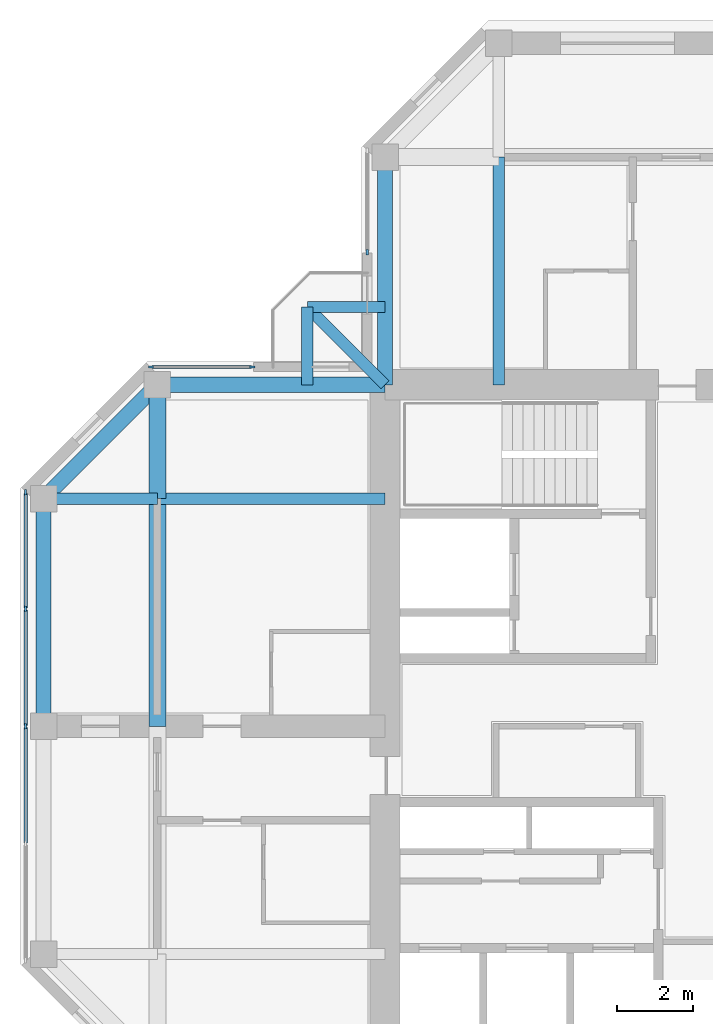
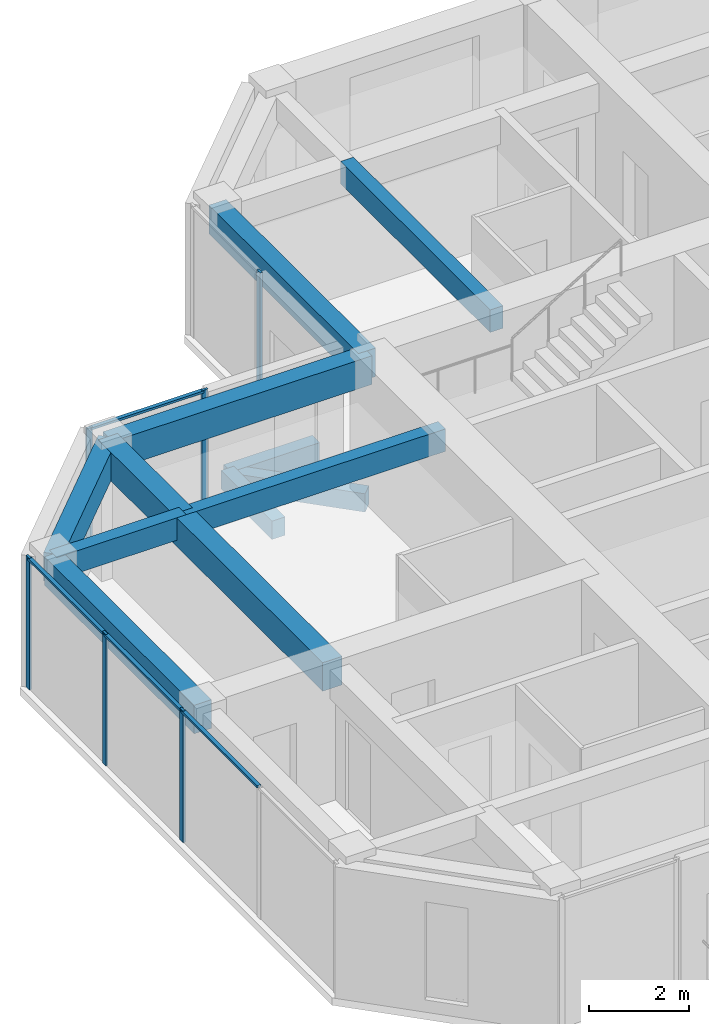
# One storey, part 4 of 13: 12 beams, 10 members, 3 elements without a shape of their own.
"""IFC4 building model written with IfcOpenShell, lengths in metres."""

import ifcopenshell
import ifcopenshell.guid

model = None  # the IFC model being written
_history = None  # IfcOwnerHistory: only IFC2X3 demands one
_inside = {}  # id of a spatial element -> (the spatial element, [elements in it])
_under = {}  # id of a project, library or spatial element -> (it, [spatial elements below it])
_declared = {}  # id of a project -> (the project, [libraries it declares])
_typed = {}  # id of a type object -> (the type object, [elements of that type])
_made_of = {}  # id of a material, layer set ... -> (it, [elements and type objects made of it])


def new_model(schema):
    """Start an empty IFC model of exactly this schema.

    Asked for "IFC4X3", IfcOpenShell would pick the latest addendum, in which some entities
    have other attributes; the version numbers below select the first issue.
    IFC2X3 requires an IfcOwnerHistory on every rooted entity: one is made here for all.
    """
    global model, _history
    if schema == "IFC4X3":
        model = ifcopenshell.file(schema_version=(4, 3, 0, 0))
    else:
        model = ifcopenshell.file(schema=schema)
    _inside.clear()
    _under.clear()
    _declared.clear()
    _typed.clear()
    _made_of.clear()
    _history = None
    if model.schema == "IFC2X3":
        org = make("IfcOrganization", Name="unknown")
        user = make(
            "IfcPersonAndOrganization",
            ThePerson=make("IfcPerson", FamilyName="unknown"),
            TheOrganization=org,
        )
        app = make(
            "IfcApplication",
            ApplicationDeveloper=org,
            Version="unknown",
            ApplicationFullName="unknown",
            ApplicationIdentifier="unknown",
        )
        _history = make(
            "IfcOwnerHistory",
            OwningUser=user,
            OwningApplication=app,
            ChangeAction="ADDED",
            CreationDate=0,
        )
    return model


def make(cls, **values):
    """One entity of the class cls with the attributes given. An attribute that is None is left unset."""
    return model.create_entity(
        cls, **{name: value for name, value in values.items() if value is not None}
    )


def rooted(cls, **values):
    """An entity with a GlobalId (a new one), such as an element, a storey or a relation."""
    return make(cls, GlobalId=ifcopenshell.guid.new(), OwnerHistory=_history, **values)


def si_unit(unit_type, name, prefix=None):
    """IfcSIUnit, for example si_unit("LENGTHUNIT", "METRE", prefix="MILLI")."""
    return make("IfcSIUnit", UnitType=unit_type, Prefix=prefix, Name=name)


def assignment(units):
    """IfcUnitAssignment: the units of a project."""
    return None if units is None else make("IfcUnitAssignment", Units=units)


def point(xyz):
    """IfcCartesianPoint."""
    return None if xyz is None else make("IfcCartesianPoint", Coordinates=xyz)


def direction(xyz):
    """IfcDirection."""
    return None if xyz is None else make("IfcDirection", DirectionRatios=xyz)


def frame(location, z_axis=None, x_axis=None):
    """IfcAxis2Placement3D, a coordinate frame: its origin and axes. An axis left out is left unset."""
    return make(
        "IfcAxis2Placement3D",
        Location=point(location),
        Axis=direction(z_axis),
        RefDirection=direction(x_axis),
    )


def frame_2d(location, x_axis=None):
    """IfcAxis2Placement2D, a coordinate frame in the plane: its origin and x axis."""
    return make(
        "IfcAxis2Placement2D", Location=point(location), RefDirection=direction(x_axis)
    )


def origin():
    """The frame at (0, 0, 0) with its axes left unset."""
    return frame((0.0, 0.0, 0.0))


def origin_2d():
    """The frame at (0, 0) in the plane with its x axis left unset."""
    return frame_2d((0.0, 0.0))


def place(relative_to, where):
    """IfcLocalPlacement: puts the frame where relative to a parent placement (None: the world)."""
    return make(
        "IfcLocalPlacement", PlacementRelTo=relative_to, RelativePlacement=where
    )


def context(
    kind, dimensions, precision=None, world=None, true_north=None, identifier=None
):
    """IfcGeometricRepresentationContext, for example the 3D "Model" context."""
    return make(
        "IfcGeometricRepresentationContext",
        ContextIdentifier=identifier,
        ContextType=kind,
        CoordinateSpaceDimension=dimensions,
        Precision=precision,
        WorldCoordinateSystem=world,
        TrueNorth=true_north,
    )


def subcontext(parent, identifier, kind, view, scale=None):
    """IfcGeometricRepresentationSubContext, for example "Body" below "Model"."""
    return make(
        "IfcGeometricRepresentationSubContext",
        ContextIdentifier=identifier,
        ContextType=kind,
        ParentContext=parent,
        TargetScale=scale,
        TargetView=view,
    )


def project(units=None, contexts=None):
    """IfcProject with its units and contexts."""
    return rooted(
        "IfcProject",
        Name="project",
        RepresentationContexts=contexts,
        UnitsInContext=assignment(units),
    )


def spatial(cls, under=None, at=None, **own):
    """A site, building, storey or space (cls), placed at a placement, below another one or the project."""
    s = rooted(cls, ObjectPlacement=at, **own)
    if under is not None:
        _under.setdefault(under.id(), (under, []))[1].append(s)
    return s


def profile(cls, at=None, kind="AREA", **sizes):
    """A parametric profile (cls). Its sizes go by their IFC names, for example OverallWidth=200.0."""
    return make(cls, ProfileType=kind, Position=at, **sizes)


def rectangle(**sizes):
    """IfcRectangleProfileDef."""
    return profile("IfcRectangleProfileDef", **sizes)


def extrude(swept, where, along, depth):
    """IfcExtrudedAreaSolid: the profile swept, set in the frame where, extruded along a direction by depth."""
    return make(
        "IfcExtrudedAreaSolid",
        SweptArea=swept,
        Position=where,
        ExtrudedDirection=direction(along),
        Depth=depth,
    )


def shape(context_of_items, identifier, shape_type, items):
    """IfcShapeRepresentation: the items that make up one representation, for example the "Body"."""
    return make(
        "IfcShapeRepresentation",
        ContextOfItems=context_of_items,
        RepresentationIdentifier=identifier,
        RepresentationType=shape_type,
        Items=items,
    )


def material(Name=None, Category=None):
    """IfcMaterial."""
    return make("IfcMaterial", Name=Name, Category=Category)


def material_profile(
    of_material, cross_section, Name=None, Category=None, Priority=None
):
    """IfcMaterialProfile: a cross section and its material."""
    return make(
        "IfcMaterialProfile",
        Name=Name,
        Material=of_material,
        Profile=cross_section,
        Priority=Priority,
        Category=Category,
    )


def profile_set(profiles, Name=None, composite=None):
    """IfcMaterialProfileSet."""
    return make(
        "IfcMaterialProfileSet",
        Name=Name,
        MaterialProfiles=profiles,
        CompositeProfile=composite,
    )


def made_of(thing, what):
    """Note that an element or type object is made of a material, layer set ...; save() writes the relation."""
    if what is not None:
        _made_of.setdefault(what.id(), (what, []))[1].append(thing)
    return thing


def type_object(cls, material=None, **own):
    """A type object (cls), such as IfcWallType, which elements share."""
    return made_of(rooted(cls, **own), material)


def element(
    cls,
    number,
    at=None,
    inside=None,
    cuts=None,
    type_object=None,
    material=None,
    context=None,
    identifier="Body",
    shape_type=None,
    held_by="IfcProductDefinitionShape",
    body=None,
    shapes=None,
    **own,
):
    """One element of the class cls, such as IfcWall. Its Tag is "e" and its number.

    at: its placement. inside: the storey or other place that contains it. cuts: it is an
    opening in that element (IfcRelVoidsElement). A single representation is given by context,
    identifier, shape_type and body (its items); several are given by shapes. held_by: the class
    of the entity that holds the representations. save() writes the other relations.
    """
    e = rooted(cls, Tag="e%d" % number, ObjectPlacement=at, **own)
    if body is not None:
        shapes = [shape(context, identifier, shape_type, body)]
    if shapes is not None:
        e.Representation = make(held_by, Representations=shapes)
    if inside is not None:
        _inside.setdefault(inside.id(), (inside, []))[1].append(e)
    if cuts is not None:
        rooted(
            "IfcRelVoidsElement", RelatingBuildingElement=cuts, RelatedOpeningElement=e
        )
    if type_object is not None:
        _typed.setdefault(type_object.id(), (type_object, []))[1].append(e)
    return made_of(e, material)


def aggregate(whole, parts):
    """IfcRelAggregates: a whole, such as a stair, and the parts it consists of."""
    return rooted("IfcRelAggregates", RelatingObject=whole, RelatedObjects=parts)


def save(model, path):
    """Write the relations noted so far, then the file.

    IfcRelAggregates (storeys below a building ...), IfcRelContainedInSpatialStructure (elements
    in a storey), IfcRelDefinesByType, IfcRelAssociatesMaterial and IfcRelDeclares: one each for
    every whole, place, type object, material and project.
    """
    for whole, parts in _under.values():
        aggregate(whole, parts)
    for where, things in _inside.values():
        rooted(
            "IfcRelContainedInSpatialStructure",
            RelatedElements=things,
            RelatingStructure=where,
        )
    for kind, things in _typed.values():
        rooted("IfcRelDefinesByType", RelatedObjects=things, RelatingType=kind)
    for what, things in _made_of.values():
        rooted("IfcRelAssociatesMaterial", RelatedObjects=things, RelatingMaterial=what)
    for by, libraries in _declared.values():
        rooted("IfcRelDeclares", RelatingContext=by, RelatedDefinitions=libraries)
    model.write(path)


model = new_model("IFC4")

# Units and contexts
model_context = context("Model", 3, precision=1e-05, world=origin(), true_north=direction((0.0, 1.0)))
body_context = subcontext(model_context, "Body", "Model", "MODEL_VIEW")
ifc_project = project(units=[si_unit("LENGTHUNIT", "METRE"), si_unit("AREAUNIT", "SQUARE_METRE"), si_unit("VOLUMEUNIT", "CUBIC_METRE"), si_unit("PLANEANGLEUNIT", "RADIAN"), si_unit("MASSUNIT", "GRAM", prefix="KILO")], contexts=[model_context])

# Site, building, storey
site_placement = place(None, origin())
site = spatial("IfcSite", under=ifc_project, at=site_placement, CompositionType="ELEMENT")
building_placement = place(site_placement, origin())
building = spatial("IfcBuilding", under=site, at=building_placement, Name="Torre Cruceta", CompositionType="ELEMENT")
storey_placement = place(building_placement, frame((0.0, 0.0, 267.89990234375)))
storey = spatial("IfcBuildingStorey", under=building, at=storey_placement, Name="L69", CompositionType="ELEMENT", Elevation=267.89990234375)

# Beams
ifc_material_1 = material(Name="Concrete G60 (fck 60 MPa)", Category="concrete")
ifc_material_profile_1 = material_profile(ifc_material_1, rectangle(XDim=0.300048828125, YDim=0.449951171875, at=origin_2d()), Name="RC 300X450")
ifc_profile_set_1 = profile_set([ifc_material_profile_1], Name="Concrete G60 (fck 60 MPa)")
beam_type_1 = type_object("IfcBeamType", Name="BALCONY CANTILEVER BEAM RC 300X450", PredefinedType="BEAM", material=ifc_profile_set_1)
beam_1_placement = place(storey_placement, frame((-9.0, 9.0, -0.40478515625), z_axis=(-0.707106781187, 0.707106781187, 0.0), x_axis=(-0.707106781187, -0.707106781187, 0.0)))
element("IfcBeam", 1, at=beam_1_placement, inside=storey, type_object=beam_type_1, Name="BB1 balcony beam L69 N", PredefinedType="BEAM", context=body_context, shape_type="SweptSolid", body=[
    extrude(rectangle(XDim=0.300048828125, YDim=0.449951171875, at=origin_2d()), origin(), (0.0, 0.0, 1.0), 2.89990234375),
])
for number, where, z_axis, x_axis, name in (
    (2, (-11.050537109375, 9.0, -0.40478515625), (0.0, 1.0, 0.0), (-1.0, 0.0, 0.0), "BB1 balcony edge beam L69 N-X"),
    (3, (-9.0, 11.050537109375, -0.40478515625), (-1.0, 0.0, 0.0), (0.0, -1.0, 0.0), "BB1 balcony edge beam L69 N-Y"),
):
    element("IfcBeam", number, at=place(storey_placement, frame(where, z_axis=z_axis, x_axis=x_axis)), inside=storey, type_object=beam_type_1, Name=name, PredefinedType="BEAM", context=body_context, shape_type="SweptSolid", body=[
        extrude(rectangle(XDim=0.300048828125, YDim=0.449951171875, at=origin_2d()), origin(), (0.0, 0.0, 1.0), 2.050537109375),
    ])
ifc_material_2 = material(Name="Concrete G60 (fck 60 MPa)", Category="concrete")
ifc_material_profile_2 = material_profile(ifc_material_2, rectangle(XDim=0.300048828125, YDim=0.550048828125, at=origin_2d()), Name="RC 300X550")
ifc_profile_set_2 = profile_set([ifc_material_profile_2], Name="Concrete G60 (fck 60 MPa)")
beam_type_2 = type_object("IfcBeamType", Name="COLUMN LINE BEAM RC 300X550", PredefinedType="BEAM", material=ifc_profile_set_2)
for number, where, z_axis, x_axis, name in (
    (4, (-6.0, 9.0, 2.945068359375), (0.0, 1.0, 0.0), (-1.0, 0.0, 0.0), "LB10 L69 N col+ 1"),
    (5, (-9.0, 6.0, 2.945068359375), (-1.0, 0.0, 0.0), (0.0, -1.0, 0.0), "LB10 L69 W col- 1"),
):
    element("IfcBeam", number, at=place(storey_placement, frame(where, z_axis=z_axis, x_axis=x_axis)), inside=storey, type_object=beam_type_2, Name=name, PredefinedType="BEAM", context=body_context, shape_type="SweptSolid", body=[
        extrude(rectangle(XDim=0.300048828125, YDim=0.550048828125, at=origin_2d()), origin(), (0.0, 0.0, 1.0), 6.0),
    ])
beam_2_placement = place(storey_placement, frame((-15.0, 6.0, 2.945068359375), z_axis=(-1.0, 0.0, 0.0), x_axis=(0.0, -1.0, 0.0)))
element("IfcBeam", 6, at=beam_2_placement, inside=storey, type_object=beam_type_2, Name="LB10 L69 W col- 2", PredefinedType="BEAM", context=body_context, shape_type="SweptSolid", body=[
    extrude(rectangle(XDim=0.300048828125, YDim=0.550048828125, at=origin_2d()), origin(), (0.0, 0.0, 1.0), 3.0),
])
ifc_material_3 = material(Name="Concrete G60 (fck 60 MPa)", Category="concrete")
ifc_material_profile_3 = material_profile(ifc_material_3, rectangle(XDim=0.449951171875, YDim=0.699951171875, at=origin_2d()), Name="RC 450X700")
ifc_profile_set_3 = profile_set([ifc_material_profile_3], Name="Concrete G60 (fck 60 MPa)")
beam_type_3 = type_object("IfcBeamType", Name="CROSS BEAM RC 450X700", PredefinedType="BEAM", material=ifc_profile_set_3)
beam_3_placement = place(storey_placement, frame((-15.0, 9.0, 2.8701171875), z_axis=(0.0, -1.0, 0.0), x_axis=(1.0, 0.0, 0.0)))
element("IfcBeam", 7, at=beam_3_placement, inside=storey, type_object=beam_type_3, Name="GB8 L69 W cross15 1", PredefinedType="BEAM", context=body_context, shape_type="SweptSolid", body=[
    extrude(rectangle(XDim=0.449951171875, YDim=0.699951171875, at=origin_2d()), origin(), (0.0, 0.0, 1.0), 3.0),
])
beam_4_placement = place(storey_placement, frame((-15.0, 6.0, 2.8701171875), z_axis=(0.0, -1.0, 0.0), x_axis=(1.0, 0.0, 0.0)))
element("IfcBeam", 8, at=beam_4_placement, inside=storey, type_object=beam_type_3, Name="GB8 L69 W cross15 2", PredefinedType="BEAM", context=body_context, shape_type="SweptSolid", body=[
    extrude(rectangle(XDim=0.449951171875, YDim=0.699951171875, at=origin_2d()), origin(), (0.0, 0.0, 1.0), 6.0),
])

# Curtain wall, member
ifc_material_4 = material(Name="Aluminium unitised curtain wall", Category="aluminium")
curtain_wall_type = type_object("IfcCurtainWallType", Name="CURTAIN WALL CW-E CO-LIVING TOP", PredefinedType="USERDEFINED", material=ifc_material_4)
curtain_wall_1_placement = place(storey_placement, origin())
curtain_wall_1 = element("IfcCurtainWall", 9, at=curtain_wall_1_placement, inside=storey, type_object=curtain_wall_type, Name="CW-E L69 N side 09", ObjectType="UNITISED", PredefinedType="USERDEFINED")
ifc_material_5 = material(Name="Aluminium mullion", Category="aluminium")
ifc_material_profile_4 = material_profile(ifc_material_5, rectangle(XDim=0.054931640625, YDim=0.139892578125, at=origin_2d()), Name="AL 55X140")
ifc_profile_set_4 = profile_set([ifc_material_profile_4], Name="Aluminium mullion")
member_type_1 = type_object("IfcMemberType", Name="CW-E MULLION 55X140", PredefinedType="MULLION", material=ifc_profile_set_4)
member_1_placement = place(storey_placement, frame((-9.469970703125, 12.49755859375, 0.0), z_axis=(0.0, 0.0, 1.0), x_axis=(1.0, 0.0, 0.0)))
member_1 = element("IfcMember", 10, at=member_1_placement, type_object=member_type_1, Name="CW-E mullion 2", PredefinedType="MULLION", context=body_context, shape_type="SweptSolid", body=[
    extrude(rectangle(XDim=0.054931640625, YDim=0.139892578125, at=origin_2d()), origin(), (0.0, 0.0, 1.0), 3.22021484375),
])
aggregate(curtain_wall_1, [member_1])

# Curtain wall, members
curtain_wall_2_placement = place(storey_placement, origin())
curtain_wall_2 = element("IfcCurtainWall", 11, at=curtain_wall_2_placement, inside=storey, type_object=curtain_wall_type, Name="CW-E L69 W side 10", ObjectType="UNITISED", PredefinedType="USERDEFINED")
member_2_placement = place(storey_placement, frame((-12.49755859375, 9.469970703125, 0.0), z_axis=(0.0, 0.0, 1.0), x_axis=(0.0, -1.0, 0.0)))
member_2 = element("IfcMember", 12, at=member_2_placement, type_object=member_type_1, Name="CW-E mullion 1", PredefinedType="MULLION", context=body_context, shape_type="SweptSolid", body=[
    extrude(rectangle(XDim=0.054931640625, YDim=0.139892578125, at=origin_2d()), origin(), (0.0, 0.0, 1.0), 3.22021484375),
])
member_3_placement = place(storey_placement, frame((-15.167236328125, 9.469970703125, 0.0), z_axis=(0.0, 0.0, 1.0), x_axis=(0.0, -1.0, 0.0)))
member_3 = element("IfcMember", 13, at=member_3_placement, type_object=member_type_1, Name="CW-E mullion 2", PredefinedType="MULLION", context=body_context, shape_type="SweptSolid", body=[
    extrude(rectangle(XDim=0.054931640625, YDim=0.139892578125, at=origin_2d()), origin(), (0.0, 0.0, 1.0), 3.22021484375),
])

curtain_wall_3_placement = place(storey_placement, origin())
curtain_wall_3 = element("IfcCurtainWall", 14, at=curtain_wall_3_placement, inside=storey, type_object=curtain_wall_type, Name="CW-E L69 W tip 12", ObjectType="UNITISED", PredefinedType="USERDEFINED")
member_4_placement = place(storey_placement, frame((-18.469970703125, 6.167236328125, 0.0), z_axis=(0.0, 0.0, 1.0), x_axis=(1.0, 0.0, 0.0)))
member_4 = element("IfcMember", 15, at=member_4_placement, type_object=member_type_1, Name="CW-E mullion 1", PredefinedType="MULLION", context=body_context, shape_type="SweptSolid", body=[
    extrude(rectangle(XDim=0.054931640625, YDim=0.139892578125, at=origin_2d()), origin(), (0.0, 0.0, 1.0), 3.22021484375),
])
member_5_placement = place(storey_placement, frame((-18.469970703125, 3.097412109375, 0.0), z_axis=(0.0, 0.0, 1.0), x_axis=(1.0, 0.0, 0.0)))
member_5 = element("IfcMember", 16, at=member_5_placement, type_object=member_type_1, Name="CW-E mullion 2", PredefinedType="MULLION", context=body_context, shape_type="SweptSolid", body=[
    extrude(rectangle(XDim=0.054931640625, YDim=0.139892578125, at=origin_2d()), origin(), (0.0, 0.0, 1.0), 3.22021484375),
])
member_6_placement = place(storey_placement, frame((-18.469970703125, 0.0, 0.0), z_axis=(0.0, 0.0, 1.0), x_axis=(1.0, 0.0, 0.0)))
member_6 = element("IfcMember", 17, at=member_6_placement, type_object=member_type_1, Name="CW-E mullion 3", PredefinedType="MULLION", context=body_context, shape_type="SweptSolid", body=[
    extrude(rectangle(XDim=0.054931640625, YDim=0.139892578125, at=origin_2d()), origin(), (0.0, 0.0, 1.0), 3.22021484375),
])

# Member
ifc_material_6 = material(Name="Aluminium transom", Category="aluminium")
ifc_material_profile_5 = material_profile(ifc_material_6, rectangle(XDim=0.090087890625, YDim=0.054931640625, at=origin_2d()), Name="AL 90X55")
ifc_profile_set_5 = profile_set([ifc_material_profile_5], Name="Aluminium transom")
member_type_2 = type_object("IfcMemberType", Name="CW-E TRANSOM 55X90", PredefinedType="USERDEFINED", material=ifc_profile_set_5)
member_7_placement = place(storey_placement, frame((-12.52490234375, 9.469970703125, 3.192626953125), z_axis=(-1.0, 0.0, 0.0), x_axis=(0.0, -1.0, 0.0)))
member_7 = element("IfcMember", 18, at=member_7_placement, type_object=member_type_2, Name="CW-E transom 1", ObjectType="TRANSOM", PredefinedType="USERDEFINED", context=body_context, shape_type="SweptSolid", body=[
    extrude(rectangle(XDim=0.090087890625, YDim=0.054931640625, at=origin_2d()), origin(), (0.0, 0.0, 1.0), 2.61474609375),
])

aggregate(curtain_wall_2, [member_2, member_3, member_7])

member_8_placement = place(storey_placement, frame((-18.469970703125, 6.1396484375, 3.192626953125), z_axis=(0.0, -1.0, 0.0), x_axis=(1.0, 0.0, 0.0)))
member_8 = element("IfcMember", 19, at=member_8_placement, type_object=member_type_2, Name="CW-E transom 1", ObjectType="TRANSOM", PredefinedType="USERDEFINED", context=body_context, shape_type="SweptSolid", body=[
    extrude(rectangle(XDim=0.090087890625, YDim=0.054931640625, at=origin_2d()), origin(), (0.0, 0.0, 1.0), 3.014892578125),
])

member_9_placement = place(storey_placement, frame((-18.469970703125, 3.06982421875, 3.192626953125), z_axis=(0.0, -1.0, 0.0), x_axis=(1.0, 0.0, 0.0)))
member_9 = element("IfcMember", 20, at=member_9_placement, type_object=member_type_2, Name="CW-E transom 2", ObjectType="TRANSOM", PredefinedType="USERDEFINED", context=body_context, shape_type="SweptSolid", body=[
    extrude(rectangle(XDim=0.090087890625, YDim=0.054931640625, at=origin_2d()), origin(), (0.0, 0.0, 1.0), 3.042236328125),
])

member_10_placement = place(storey_placement, frame((-18.469970703125, -0.027587890625, 3.192626953125), z_axis=(0.0, -1.0, 0.0), x_axis=(1.0, 0.0, 0.0)))
member_10 = element("IfcMember", 21, at=member_10_placement, type_object=member_type_2, Name="CW-E transom 3", ObjectType="TRANSOM", PredefinedType="USERDEFINED", context=body_context, shape_type="SweptSolid", body=[
    extrude(rectangle(XDim=0.090087890625, YDim=0.054931640625, at=origin_2d()), origin(), (0.0, 0.0, 1.0), 3.042236328125),
])

aggregate(curtain_wall_3, [member_4, member_5, member_6, member_8, member_9, member_10])

# Beams
ifc_material_7 = material(Name="Concrete G60 (fck 60 MPa)", Category="concrete")
ifc_material_profile_6 = material_profile(ifc_material_7, rectangle(XDim=0.39990234375, YDim=0.699951171875, at=origin_2d()), Name="RC 400X700")
ifc_profile_set_6 = profile_set([ifc_material_profile_6], Name="Concrete G60 (fck 60 MPa)")
beam_type_4 = type_object("IfcBeamType", Name="SPANDREL BEAM RC 400X700", PredefinedType="SPANDREL", material=ifc_profile_set_6)
for number, where, z_axis, x_axis, name in (
    (22, (-9.0, 9.0, 2.8701171875), (0.0, 1.0, 0.0), (-1.0, 0.0, 0.0), "SB8 L69 N side+ 1"),
    (23, (-9.0, 9.0, 2.8701171875), (-1.0, 0.0, 0.0), (0.0, -1.0, 0.0), "SB8 L69 W side- 1"),
):
    element("IfcBeam", number, at=place(storey_placement, frame(where, z_axis=z_axis, x_axis=x_axis)), inside=storey, type_object=beam_type_4, Name=name, PredefinedType="SPANDREL", context=body_context, shape_type="SweptSolid", body=[
        extrude(rectangle(XDim=0.39990234375, YDim=0.699951171875, at=origin_2d()), origin(), (0.0, 0.0, 1.0), 6.0),
    ])
beam_5_placement = place(storey_placement, frame((-15.0, 9.0, 2.8701171875), z_axis=(-0.707106781187, -0.707106781187, 0.0), x_axis=(0.707106781187, -0.707106781187, 0.0)))
element("IfcBeam", 24, at=beam_5_placement, inside=storey, type_object=beam_type_4, Name="SB8 L69 W side- 2", PredefinedType="SPANDREL", context=body_context, shape_type="SweptSolid", body=[
    extrude(rectangle(XDim=0.39990234375, YDim=0.699951171875, at=origin_2d()), origin(), (0.0, 0.0, 1.0), 4.24267578125),
])
beam_6_placement = place(storey_placement, frame((-18.0, 6.0, 2.8701171875), z_axis=(0.0, -1.0, 0.0), x_axis=(1.0, 0.0, 0.0)))
element("IfcBeam", 25, at=beam_6_placement, inside=storey, type_object=beam_type_4, Name="SB8 L69 W tip 1", PredefinedType="SPANDREL", context=body_context, shape_type="SweptSolid", body=[
    extrude(rectangle(XDim=0.39990234375, YDim=0.699951171875, at=origin_2d()), origin(), (0.0, 0.0, 1.0), 6.0),
])

save(model, "model.ifc")
